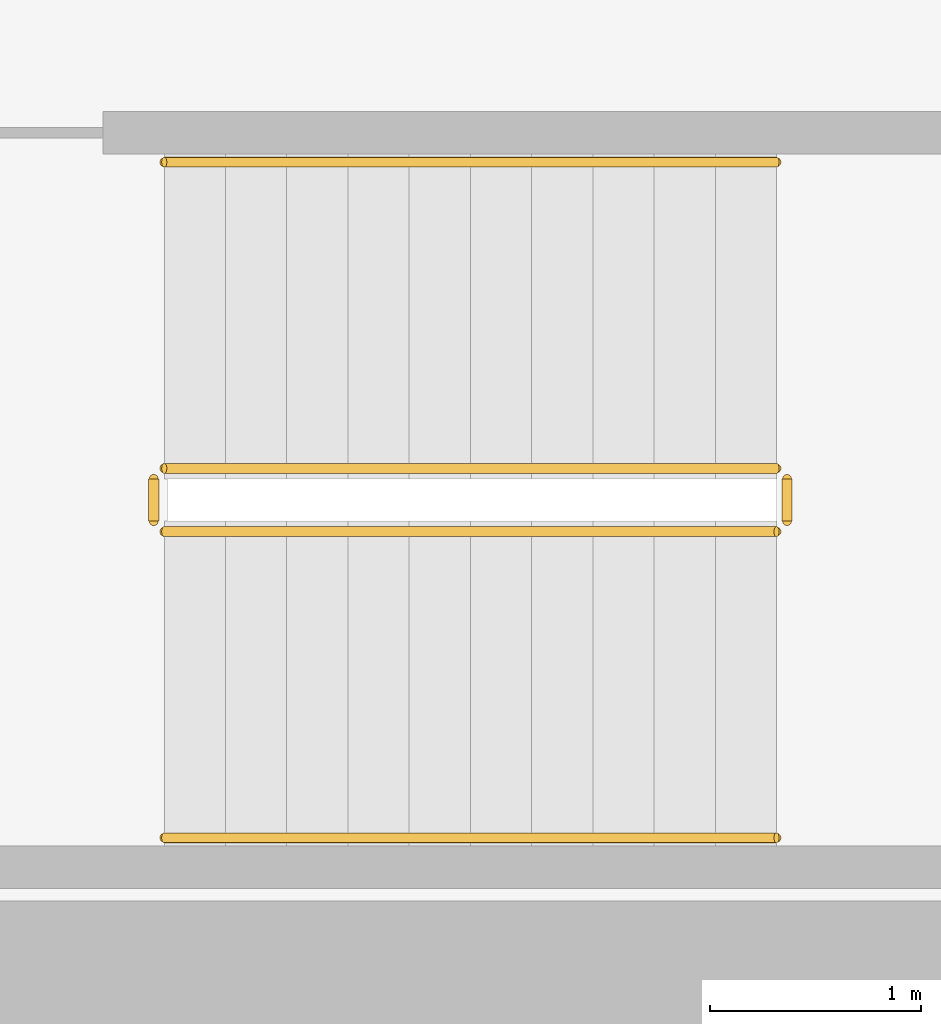
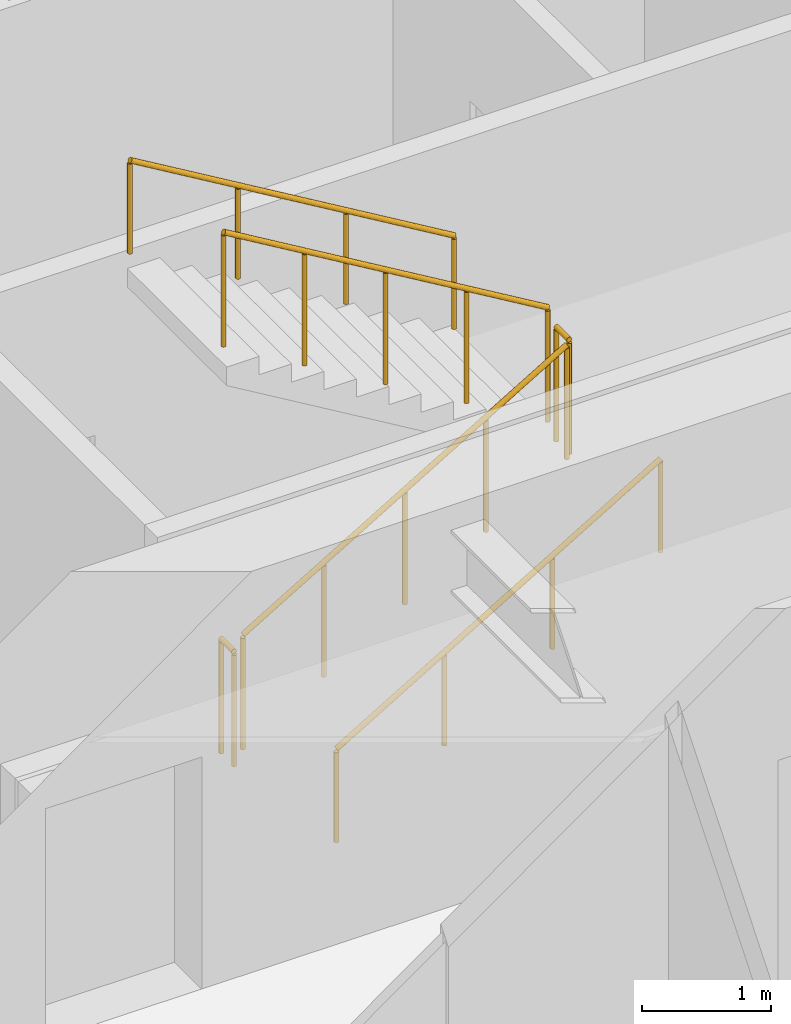
# One storey, part 19 of 20: 6 railings.
"""IFC4 building model written with IfcOpenShell, lengths in metres."""

from ifc_helpers import new_model, si_unit, direction, frame, origin, origin_2d, place, context, subcontext, project, spatial, circle, extrude, material, type_object, element, save


model = new_model("IFC4")

# Units and contexts
model_context = context("Model", 3, precision=1e-05, world=origin(), true_north=direction((0.0, 1.0)))
body_context = subcontext(model_context, "Body", "Model", "MODEL_VIEW")
ifc_project = project(units=[si_unit("LENGTHUNIT", "METRE"), si_unit("AREAUNIT", "SQUARE_METRE"), si_unit("VOLUMEUNIT", "CUBIC_METRE"), si_unit("PLANEANGLEUNIT", "RADIAN"), si_unit("MASSUNIT", "GRAM", prefix="KILO")], contexts=[model_context])

# Site, building, storey
site_placement = place(None, origin())
site = spatial("IfcSite", under=ifc_project, at=site_placement, CompositionType="ELEMENT")
building_placement = place(site_placement, origin())
building = spatial("IfcBuilding", under=site, at=building_placement, Name="Putna Gate Headquarters", CompositionType="ELEMENT")
storey_placement = place(building_placement, frame((0.0, 0.0, 97.39990234375)))
storey = spatial("IfcBuildingStorey", under=building, at=storey_placement, Name="L23", CompositionType="ELEMENT", Elevation=97.39990234375)

# Railings
ifc_material_1 = material(Name="Powder-coated steel stair guardrail", Category="steel")
railing_type_1 = type_object("IfcRailingType", Name="RAIL-STAIR-GUARD-1100", PredefinedType="GUARDRAIL", material=ifc_material_1)
railing_1_placement = place(storey_placement, frame((57.89990234375, 21.10009765625, 0.1728515625)))
element("IfcRailing", 1, at=railing_1_placement, inside=storey, type_object=railing_type_1, Name="L23 ST2 stair guard 1", PredefinedType="GUARDRAIL", context=body_context, shape_type="SweptSolid", body=[
    extrude(circle(Radius=0.02392578125, at=origin_2d()), frame((0.0, 0.0, 1.076171875), z_axis=(0.859160404282, 0.0, 0.51170636083), x_axis=(0.0, 1.0, 0.0)), (0.0, 0.0, 1.0), 3.37548828125),
    extrude(circle(Radius=0.02099609375, at=origin_2d()), origin(), (0.0, 0.0, 1.0), 1.052001953125),
    extrude(circle(Radius=0.02099609375, at=origin_2d()), frame((0.72509765625, 0.0, 0.431884765625)), (0.0, 0.0, 1.0), 1.052001953125),
    extrude(circle(Radius=0.02099609375, at=origin_2d()), frame((1.4501953125, 0.0, 0.86376953125)), (0.0, 0.0, 1.0), 1.052001953125),
    extrude(circle(Radius=0.02099609375, at=origin_2d()), frame((2.175048828125, 0.0, 1.29541015625)), (0.0, 0.0, 1.0), 1.052001953125),
    extrude(circle(Radius=0.02099609375, at=origin_2d()), frame((2.900146484375, 0.0, 1.727294921875)), (0.0, 0.0, 1.0), 1.052001953125),
])
railing_2_placement = place(storey_placement, frame((60.85009765625, 21.14990234375, 1.900146484375)))
element("IfcRailing", 2, at=railing_2_placement, inside=storey, type_object=railing_type_1, Name="L23 ST2 stair guard 2", PredefinedType="GUARDRAIL", context=body_context, shape_type="SweptSolid", body=[
    extrude(circle(Radius=0.02392578125, at=origin_2d()), frame((0.0, 0.0, 1.076171875), z_axis=(0.0, 1.0, 0.0), x_axis=(-1.0, 0.0, 0.0)), (0.0, 0.0, 1.0), 0.2001953125),
    extrude(circle(Radius=0.02099609375, at=origin_2d()), origin(), (0.0, 0.0, 1.0), 1.052001953125),
    extrude(circle(Radius=0.02099609375, at=origin_2d()), frame((0.0, 0.2001953125, 0.0)), (0.0, 0.0, 1.0), 1.052001953125),
])
railing_3_placement = place(storey_placement, frame((60.800048828125, 21.39990234375, 2.07275390625)))
element("IfcRailing", 3, at=railing_3_placement, inside=storey, type_object=railing_type_1, Name="L23 ST2 stair guard 3", PredefinedType="GUARDRAIL", context=body_context, shape_type="SweptSolid", body=[
    extrude(circle(Radius=0.02392578125, at=origin_2d()), frame((0.0, 0.0, 1.076171875), z_axis=(-0.859160404282, 0.0, 0.51170636083), x_axis=(0.0, -1.0, 0.0)), (0.0, 0.0, 1.0), 3.37548828125),
    extrude(circle(Radius=0.02099609375, at=origin_2d()), origin(), (0.0, 0.0, 1.0), 1.052001953125),
    extrude(circle(Radius=0.02099609375, at=origin_2d()), frame((-0.72509765625, 0.0, 0.431884765625)), (0.0, 0.0, 1.0), 1.052001953125),
    extrude(circle(Radius=0.02099609375, at=origin_2d()), frame((-1.4501953125, 0.0, 0.86376953125)), (0.0, 0.0, 1.0), 1.052001953125),
    extrude(circle(Radius=0.02099609375, at=origin_2d()), frame((-2.175048828125, 0.0, 1.29541015625)), (0.0, 0.0, 1.0), 1.052001953125),
    extrude(circle(Radius=0.02099609375, at=origin_2d()), frame((-2.900146484375, 0.0, 1.727294921875)), (0.0, 0.0, 1.0), 1.052001953125),
])
railing_4_placement = place(storey_placement, frame((57.85009765625, 21.14990234375, 0.0)))
element("IfcRailing", 4, at=railing_4_placement, inside=storey, type_object=railing_type_1, Name="L23 ST2 stair guard 4", PredefinedType="GUARDRAIL", context=body_context, shape_type="SweptSolid", body=[
    extrude(circle(Radius=0.02392578125, at=origin_2d()), frame((0.0, 0.0, 1.076171875), z_axis=(0.0, 1.0, 0.0), x_axis=(-1.0, 0.0, 0.0)), (0.0, 0.0, 1.0), 0.2001953125),
    extrude(circle(Radius=0.02099609375, at=origin_2d()), origin(), (0.0, 0.0, 1.0), 1.052001953125),
    extrude(circle(Radius=0.02099609375, at=origin_2d()), frame((0.0, 0.2001953125, 0.0)), (0.0, 0.0, 1.0), 1.052001953125),
])
ifc_material_2 = material(Name="Brushed stainless steel handrail", Category="steel")
railing_type_2 = type_object("IfcRailingType", Name="RAIL-STAIR-HAND-900", PredefinedType="HANDRAIL", material=ifc_material_2)
railing_5_placement = place(storey_placement, frame((57.89990234375, 19.64990234375, 0.1728515625)))
element("IfcRailing", 5, at=railing_5_placement, inside=storey, type_object=railing_type_2, Name="L23 ST2 stair handrail 1", PredefinedType="HANDRAIL", context=body_context, shape_type="SweptSolid", body=[
    extrude(circle(Radius=0.02392578125, at=origin_2d()), frame((0.0, 0.0, 0.8759765625), z_axis=(0.859160404282, 0.0, 0.51170636083), x_axis=(0.0, 1.0, 0.0)), (0.0, 0.0, 1.0), 3.37548828125),
    extrude(circle(Radius=0.02099609375, at=origin_2d()), origin(), (0.0, 0.0, 1.0), 0.851806640625),
    extrude(circle(Radius=0.02099609375, at=origin_2d()), frame((0.966796875, 0.0, 0.57568359375)), (0.0, 0.0, 1.0), 0.851806640625),
    extrude(circle(Radius=0.02099609375, at=origin_2d()), frame((1.933349609375, 0.0, 1.151611328125)), (0.0, 0.0, 1.0), 0.851806640625),
    extrude(circle(Radius=0.02099609375, at=origin_2d()), frame((2.900146484375, 0.0, 1.727294921875)), (0.0, 0.0, 1.0), 0.851806640625),
])
railing_6_placement = place(storey_placement, frame((60.800048828125, 22.85009765625, 2.07275390625)))
element("IfcRailing", 6, at=railing_6_placement, inside=storey, type_object=railing_type_2, Name="L23 ST2 stair handrail 2", PredefinedType="HANDRAIL", context=body_context, shape_type="SweptSolid", body=[
    extrude(circle(Radius=0.02392578125, at=origin_2d()), frame((0.0, 0.0, 0.8759765625), z_axis=(-0.859160404282, 0.0, 0.51170636083), x_axis=(0.0, -1.0, 0.0)), (0.0, 0.0, 1.0), 3.37548828125),
    extrude(circle(Radius=0.02099609375, at=origin_2d()), origin(), (0.0, 0.0, 1.0), 0.851806640625),
    extrude(circle(Radius=0.02099609375, at=origin_2d()), frame((-0.966796875, 0.0, 0.57568359375)), (0.0, 0.0, 1.0), 0.851806640625),
    extrude(circle(Radius=0.02099609375, at=origin_2d()), frame((-1.933349609375, 0.0, 1.151611328125)), (0.0, 0.0, 1.0), 0.851806640625),
    extrude(circle(Radius=0.02099609375, at=origin_2d()), frame((-2.900146484375, 0.0, 1.727294921875)), (0.0, 0.0, 1.0), 0.851806640625),
])

save(model, "model.ifc")
